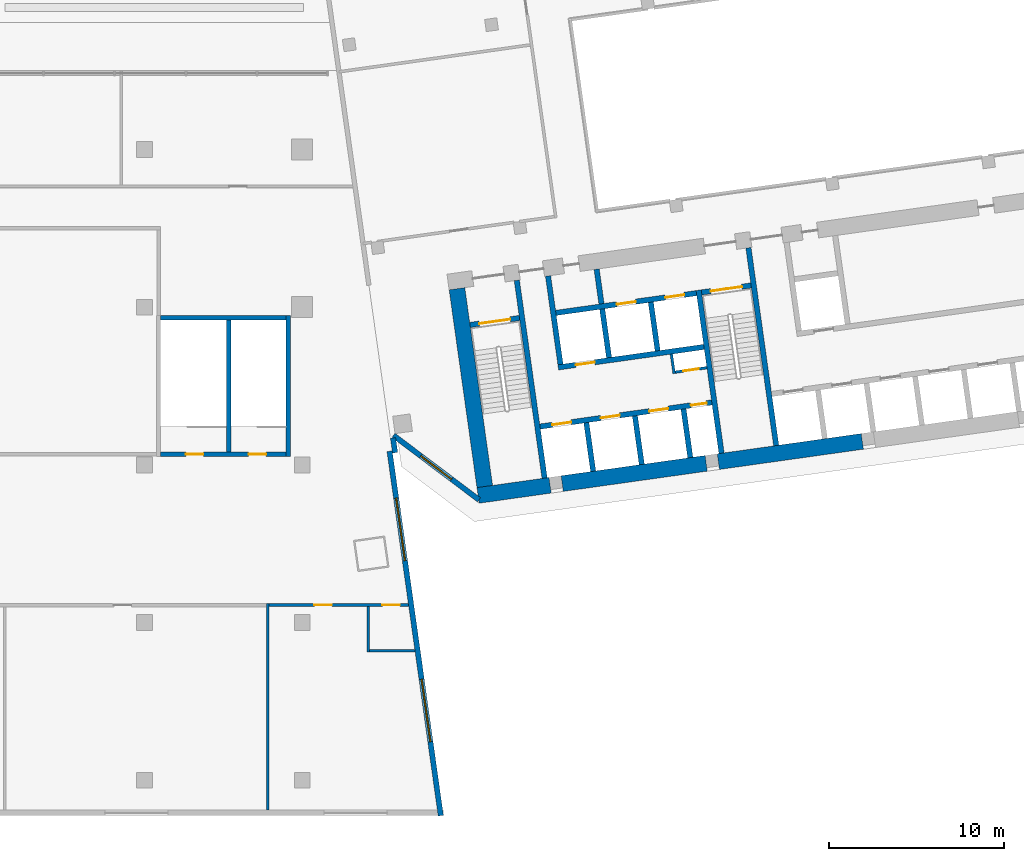
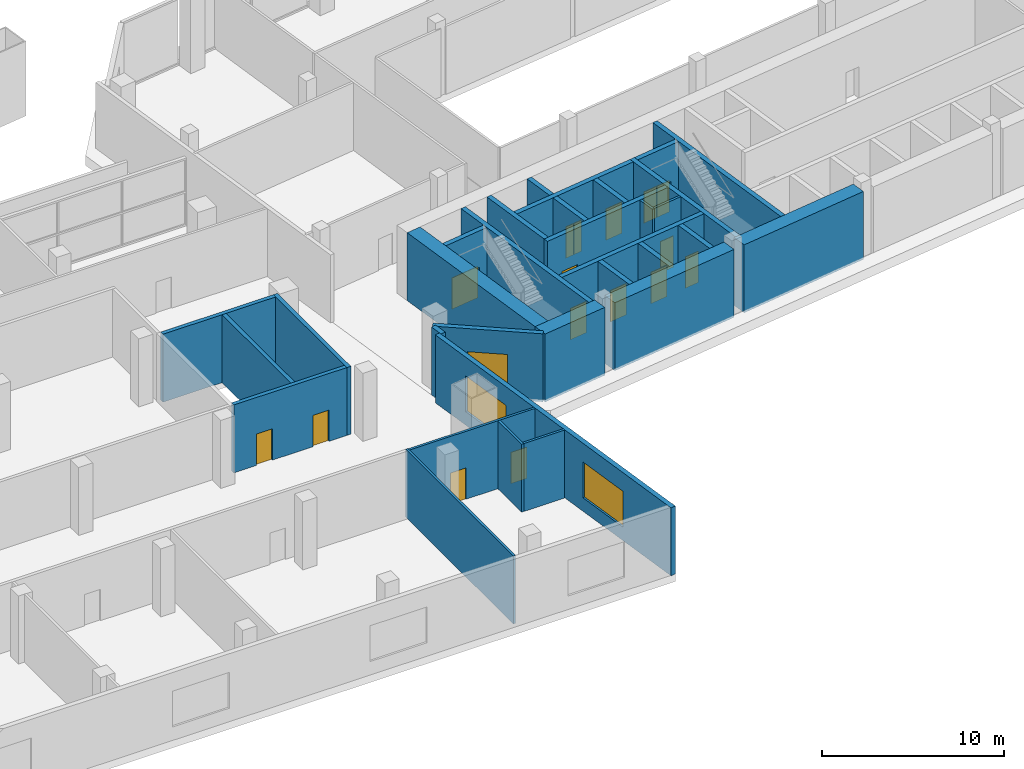
# One storey, part 15 of 21: 32 walls, 14 doors, 3 windows, 17 openings.
"""IFC4 building model written with IfcOpenShell, lengths in metres."""

import ifcopenshell
import ifcopenshell.guid

model = None  # the IFC model being written
_history = None  # IfcOwnerHistory: only IFC2X3 demands one
_inside = {}  # id of a spatial element -> (the spatial element, [elements in it])
_under = {}  # id of a project, library or spatial element -> (it, [spatial elements below it])
_declared = {}  # id of a project -> (the project, [libraries it declares])
_typed = {}  # id of a type object -> (the type object, [elements of that type])
_made_of = {}  # id of a material, layer set ... -> (it, [elements and type objects made of it])


def new_model(schema):
    """Start an empty IFC model of exactly this schema.

    Asked for "IFC4X3", IfcOpenShell would pick the latest addendum, in which some entities
    have other attributes; the version numbers below select the first issue.
    IFC2X3 requires an IfcOwnerHistory on every rooted entity: one is made here for all.
    """
    global model, _history
    if schema == "IFC4X3":
        model = ifcopenshell.file(schema_version=(4, 3, 0, 0))
    else:
        model = ifcopenshell.file(schema=schema)
    _inside.clear()
    _under.clear()
    _declared.clear()
    _typed.clear()
    _made_of.clear()
    _history = None
    if model.schema == "IFC2X3":
        org = make("IfcOrganization", Name="unknown")
        user = make(
            "IfcPersonAndOrganization",
            ThePerson=make("IfcPerson", FamilyName="unknown"),
            TheOrganization=org,
        )
        app = make(
            "IfcApplication",
            ApplicationDeveloper=org,
            Version="unknown",
            ApplicationFullName="unknown",
            ApplicationIdentifier="unknown",
        )
        _history = make(
            "IfcOwnerHistory",
            OwningUser=user,
            OwningApplication=app,
            ChangeAction="ADDED",
            CreationDate=0,
        )
    return model


def make(cls, **values):
    """One entity of the class cls with the attributes given. An attribute that is None is left unset."""
    return model.create_entity(
        cls, **{name: value for name, value in values.items() if value is not None}
    )


def rooted(cls, **values):
    """An entity with a GlobalId (a new one), such as an element, a storey or a relation."""
    return make(cls, GlobalId=ifcopenshell.guid.new(), OwnerHistory=_history, **values)


def si_unit(unit_type, name, prefix=None):
    """IfcSIUnit, for example si_unit("LENGTHUNIT", "METRE", prefix="MILLI")."""
    return make("IfcSIUnit", UnitType=unit_type, Prefix=prefix, Name=name)


def assignment(units):
    """IfcUnitAssignment: the units of a project."""
    return None if units is None else make("IfcUnitAssignment", Units=units)


def point(xyz):
    """IfcCartesianPoint."""
    return None if xyz is None else make("IfcCartesianPoint", Coordinates=xyz)


def direction(xyz):
    """IfcDirection."""
    return None if xyz is None else make("IfcDirection", DirectionRatios=xyz)


def frame(location, z_axis=None, x_axis=None):
    """IfcAxis2Placement3D, a coordinate frame: its origin and axes. An axis left out is left unset."""
    return make(
        "IfcAxis2Placement3D",
        Location=point(location),
        Axis=direction(z_axis),
        RefDirection=direction(x_axis),
    )


def frame_2d(location, x_axis=None):
    """IfcAxis2Placement2D, a coordinate frame in the plane: its origin and x axis."""
    return make(
        "IfcAxis2Placement2D", Location=point(location), RefDirection=direction(x_axis)
    )


def origin():
    """The frame at (0, 0, 0) with its axes left unset."""
    return frame((0.0, 0.0, 0.0))


def place(relative_to, where):
    """IfcLocalPlacement: puts the frame where relative to a parent placement (None: the world)."""
    return make(
        "IfcLocalPlacement", PlacementRelTo=relative_to, RelativePlacement=where
    )


def context(
    kind, dimensions, precision=None, world=None, true_north=None, identifier=None
):
    """IfcGeometricRepresentationContext, for example the 3D "Model" context."""
    return make(
        "IfcGeometricRepresentationContext",
        ContextIdentifier=identifier,
        ContextType=kind,
        CoordinateSpaceDimension=dimensions,
        Precision=precision,
        WorldCoordinateSystem=world,
        TrueNorth=true_north,
    )


def subcontext(parent, identifier, kind, view, scale=None):
    """IfcGeometricRepresentationSubContext, for example "Body" below "Model"."""
    return make(
        "IfcGeometricRepresentationSubContext",
        ContextIdentifier=identifier,
        ContextType=kind,
        ParentContext=parent,
        TargetScale=scale,
        TargetView=view,
    )


def project(units=None, contexts=None):
    """IfcProject with its units and contexts."""
    return rooted(
        "IfcProject",
        Name="project",
        RepresentationContexts=contexts,
        UnitsInContext=assignment(units),
    )


def spatial(cls, under=None, at=None, **own):
    """A site, building, storey or space (cls), placed at a placement, below another one or the project."""
    s = rooted(cls, ObjectPlacement=at, **own)
    if under is not None:
        _under.setdefault(under.id(), (under, []))[1].append(s)
    return s


def profile(cls, at=None, kind="AREA", **sizes):
    """A parametric profile (cls). Its sizes go by their IFC names, for example OverallWidth=200.0."""
    return make(cls, ProfileType=kind, Position=at, **sizes)


def rectangle(**sizes):
    """IfcRectangleProfileDef."""
    return profile("IfcRectangleProfileDef", **sizes)


def extrude(swept, where, along, depth):
    """IfcExtrudedAreaSolid: the profile swept, set in the frame where, extruded along a direction by depth."""
    return make(
        "IfcExtrudedAreaSolid",
        SweptArea=swept,
        Position=where,
        ExtrudedDirection=direction(along),
        Depth=depth,
    )


def shape(context_of_items, identifier, shape_type, items):
    """IfcShapeRepresentation: the items that make up one representation, for example the "Body"."""
    return make(
        "IfcShapeRepresentation",
        ContextOfItems=context_of_items,
        RepresentationIdentifier=identifier,
        RepresentationType=shape_type,
        Items=items,
    )


def material(Name=None, Category=None):
    """IfcMaterial."""
    return make("IfcMaterial", Name=Name, Category=Category)


def layer(
    of_material, thickness, ventilated=None, Name=None, Category=None, Priority=None
):
    """IfcMaterialLayer: one layer of a wall or slab, of a material (None: an air gap)."""
    return make(
        "IfcMaterialLayer",
        Material=of_material,
        LayerThickness=thickness,
        IsVentilated=ventilated,
        Name=Name,
        Category=Category,
        Priority=Priority,
    )


def layer_set(layers, Name=None):
    """IfcMaterialLayerSet."""
    return make("IfcMaterialLayerSet", MaterialLayers=layers, LayerSetName=Name)


def made_of(thing, what):
    """Note that an element or type object is made of a material, layer set ...; save() writes the relation."""
    if what is not None:
        _made_of.setdefault(what.id(), (what, []))[1].append(thing)
    return thing


def type_object(cls, material=None, **own):
    """A type object (cls), such as IfcWallType, which elements share."""
    return made_of(rooted(cls, **own), material)


def element(
    cls,
    number,
    at=None,
    inside=None,
    cuts=None,
    type_object=None,
    material=None,
    context=None,
    identifier="Body",
    shape_type=None,
    held_by="IfcProductDefinitionShape",
    body=None,
    shapes=None,
    **own,
):
    """One element of the class cls, such as IfcWall. Its Tag is "e" and its number.

    at: its placement. inside: the storey or other place that contains it. cuts: it is an
    opening in that element (IfcRelVoidsElement). A single representation is given by context,
    identifier, shape_type and body (its items); several are given by shapes. held_by: the class
    of the entity that holds the representations. save() writes the other relations.
    """
    e = rooted(cls, Tag="e%d" % number, ObjectPlacement=at, **own)
    if body is not None:
        shapes = [shape(context, identifier, shape_type, body)]
    if shapes is not None:
        e.Representation = make(held_by, Representations=shapes)
    if inside is not None:
        _inside.setdefault(inside.id(), (inside, []))[1].append(e)
    if cuts is not None:
        rooted(
            "IfcRelVoidsElement", RelatingBuildingElement=cuts, RelatedOpeningElement=e
        )
    if type_object is not None:
        _typed.setdefault(type_object.id(), (type_object, []))[1].append(e)
    return made_of(e, material)


def fill(opening, filler):
    """IfcRelFillsElement: the door or window that sits in an opening."""
    return rooted(
        "IfcRelFillsElement",
        RelatingOpeningElement=opening,
        RelatedBuildingElement=filler,
    )


def aggregate(whole, parts):
    """IfcRelAggregates: a whole, such as a stair, and the parts it consists of."""
    return rooted("IfcRelAggregates", RelatingObject=whole, RelatedObjects=parts)


def save(model, path):
    """Write the relations noted so far, then the file.

    IfcRelAggregates (storeys below a building ...), IfcRelContainedInSpatialStructure (elements
    in a storey), IfcRelDefinesByType, IfcRelAssociatesMaterial and IfcRelDeclares: one each for
    every whole, place, type object, material and project.
    """
    for whole, parts in _under.values():
        aggregate(whole, parts)
    for where, things in _inside.values():
        rooted(
            "IfcRelContainedInSpatialStructure",
            RelatedElements=things,
            RelatingStructure=where,
        )
    for kind, things in _typed.values():
        rooted("IfcRelDefinesByType", RelatedObjects=things, RelatingType=kind)
    for what, things in _made_of.values():
        rooted("IfcRelAssociatesMaterial", RelatedObjects=things, RelatingMaterial=what)
    for by, libraries in _declared.values():
        rooted("IfcRelDeclares", RelatingContext=by, RelatedDefinitions=libraries)
    model.write(path)


model = new_model("IFC4")

# Units and contexts
model_context = context("Model", 3, precision=1e-05, world=origin(), true_north=direction((0.0, 1.0)))
body_context = subcontext(model_context, "Body", "Model", "MODEL_VIEW")
ifc_project = project(units=[si_unit("LENGTHUNIT", "METRE"), si_unit("AREAUNIT", "SQUARE_METRE"), si_unit("VOLUMEUNIT", "CUBIC_METRE"), si_unit("PLANEANGLEUNIT", "RADIAN"), si_unit("MASSUNIT", "GRAM", prefix="KILO")], contexts=[model_context])

# Site, building, storey
site_placement = place(None, origin())
site = spatial("IfcSite", under=ifc_project, at=site_placement, CompositionType="ELEMENT")
building_placement = place(site_placement, origin())
building = spatial("IfcBuilding", under=site, at=building_placement, Name="Mirante Cascada Hotel Towers", CompositionType="ELEMENT")
storey_placement = place(building_placement, frame((0.0, 0.0, 34.5)))
storey = spatial("IfcBuildingStorey", under=building, at=storey_placement, Name="L05", CompositionType="ELEMENT", Elevation=34.5)

# Wall
ifc_material_1 = material(Name="Masonry block", Category="masonry")
ifc_layer_1 = layer(ifc_material_1, 0.15)
ifc_layer_set_1 = layer_set([ifc_layer_1], Name="Core room partition 150 block EI 30")
wall_type_1 = type_object("IfcWallType", Name="Core room partition 150 block EI 30", PredefinedType="PARTITIONING", material=ifc_layer_set_1)
wall_1_placement = place(storey_placement, frame((48.2295, -12.793, 0.0), z_axis=(0.0, 0.0, 1.0), x_axis=(-0.1391935, 0.9902652, 0.0)))
element("IfcWall", 1, at=wall_1_placement, inside=storey, type_object=wall_type_1, Name="Core wall partition T2 L05 2", PredefinedType="PARTITIONING", context=body_context, shape_type="SweptSolid", body=[
    extrude(rectangle(XDim=1.1251, YDim=0.15, at=frame_2d((0.5626, 0.0))), origin(), (0.0, 0.0, 1.0), 4.55),
])

# Wall, opening, door
wall_2_placement = place(storey_placement, frame((48.2933, -12.7083, 0.0), z_axis=(0.0, 0.0, 1.0), x_axis=(0.990268, 0.1391734, 0.0)))
wall_2 = element("IfcWall", 2, at=wall_2_placement, inside=storey, type_object=wall_type_1, Name="Core wall partition T2 L05 3", PredefinedType="PARTITIONING", context=body_context, shape_type="SweptSolid", body=[
    extrude(rectangle(XDim=1.8251, YDim=0.15, at=frame_2d((0.9126, 0.0))), origin(), (0.0, 0.0, 1.0), 4.55),
])
opening_1_placement = place(wall_2_placement, frame((0.4625, 0.0, 0.0)))
opening_1 = element("IfcOpeningElement", 3, at=opening_1_placement, cuts=wall_2, Name="Opening D2-05-C26", PredefinedType="OPENING", context=body_context, shape_type="SweptSolid", body=[
    extrude(rectangle(XDim=0.9, YDim=2.1, at=frame_2d((0.45, 1.05))), frame((0.0, 0.075, 0.0), z_axis=(0.0, -1.0, 0.0), x_axis=(1.0, 0.0, 0.0)), (0.0, 0.0, 1.0), 0.15),
])
ifc_material_2 = material(Name="Hollow metal fire door leaf")
door_type_1 = type_object("IfcDoorType", Name="Fire door 900x2100 FD60", OperationType="NOTDEFINED", PredefinedType="DOOR", material=ifc_material_2)
door_1_placement = place(opening_1_placement, frame((0.9, 0.0, 0.0), z_axis=(0.0, 0.0, 1.0), x_axis=(-1.0, 0.0, 0.0)))
door_1 = element("IfcDoor", 4, at=door_1_placement, inside=storey, type_object=door_type_1, Name="Riser door T2 L05 26", OperationType="SINGLE_SWING_LEFT", OverallHeight=2.1, OverallWidth=0.9, PredefinedType="DOOR", context=body_context, shape_type="SweptSolid", body=[
    extrude(rectangle(XDim=0.9, YDim=2.1, at=frame_2d((0.45, 1.05))), frame((0.0, 0.025, 0.0), z_axis=(0.0, -1.0, 0.0), x_axis=(1.0, 0.0, 0.0)), (0.0, 0.0, 1.0), 0.05),
])
fill(opening_1, door_1)

# Wall
ifc_material_3 = material(Name="Masonry block", Category="masonry")
ifc_layer_2 = layer(ifc_material_3, 0.3)
ifc_layer_set_2 = layer_set([ifc_layer_2], Name="Core wall 300 block EI 120")
wall_type_2 = type_object("IfcWallType", Name="Core wall 300 block EI 120", PredefinedType="PARTITIONING", material=ifc_layer_set_2)
wall_3_placement = place(storey_placement, frame((44.0843, -8.8061, 0.0), z_axis=(0.0, 0.0, 1.0), x_axis=(-0.1391951, 0.990265, 0.0)))
element("IfcWall", 5, at=wall_3_placement, inside=storey, type_object=wall_type_2, Name="Core wall partition T2 L05 1", PredefinedType="PARTITIONING", context=body_context, shape_type="SweptSolid", body=[
    extrude(rectangle(XDim=2.0001, YDim=0.3, at=frame_2d((1.0001, 0.0))), origin(), (0.0, 0.0, 1.0), 4.55),
])

# Wall, opening, window
ifc_material_4 = material(Name="Precast concrete C40/50", Category="concrete")
ifc_layer_3 = layer(ifc_material_4, 0.3)
ifc_layer_set_3 = layer_set([ifc_layer_3], Name="Precast concrete C40/50 cladding wall 300")
wall_type_3 = type_object("IfcWallType", Name="Precast concrete C40/50 cladding wall 300", PredefinedType="STANDARD", material=ifc_layer_set_3)
wall_4_placement = place(storey_placement, frame((32.2074, -16.3138, 0.0), z_axis=(0.0, 0.0, 1.0), x_axis=(0.7986362, -0.6018141, 0.0)))
wall_4 = element("IfcWall", 6, at=wall_4_placement, inside=storey, type_object=wall_type_3, Name="Corner cladding wall T2 L05 inner rear", PredefinedType="STANDARD", context=body_context, shape_type="SweptSolid", body=[
    extrude(rectangle(XDim=6.1157, YDim=0.3, at=frame_2d((3.0578, 0.0))), origin(), (0.0, 0.0, 1.0), 4.55),
])
opening_2_placement = place(wall_4_placement, frame((1.9578, 0.0, 0.6)))
opening_2 = element("IfcOpeningElement", 7, at=opening_2_placement, cuts=wall_4, Name="Opening W2-05-05", PredefinedType="OPENING", context=body_context, shape_type="SweptSolid", body=[
    extrude(rectangle(XDim=2.2, YDim=2.4, at=frame_2d((1.1, 1.2))), frame((0.0, 0.15, 0.0), z_axis=(0.0, -1.0, 0.0), x_axis=(1.0, 0.0, 0.0)), (0.0, 0.0, 1.0), 0.3),
])
ifc_material_5 = material(Name="Aluminium frame with clear double glazing", Category="aluminium")
window_type_1 = type_object("IfcWindowType", Name="Corner suite window 2200x2400", PartitioningType="DOUBLE_PANEL_VERTICAL", PredefinedType="WINDOW", material=ifc_material_5)
window_1_placement = place(opening_2_placement, origin())
window_1 = element("IfcWindow", 8, at=window_1_placement, inside=storey, type_object=window_type_1, Name="Window W2-05-05", OverallHeight=2.4, OverallWidth=2.2, PartitioningType="SINGLE_PANEL", PredefinedType="WINDOW", context=body_context, shape_type="SweptSolid", body=[
    extrude(rectangle(XDim=2.2, YDim=2.4, at=frame_2d((1.1, 1.2))), frame((0.0, 0.03, 0.0), z_axis=(0.0, -1.0, 0.0), x_axis=(1.0, 0.0, 0.0)), (0.0, 0.0, 1.0), 0.06),
])
fill(opening_2, window_1)

# Wall, openings, windows
wall_5_placement = place(storey_placement, frame((34.911, -38.0209, 0.0), z_axis=(0.0, 0.0, 1.0), x_axis=(-0.1391749, 0.9902678, 0.0)))
wall_5 = element("IfcWall", 9, at=wall_5_placement, inside=storey, type_object=wall_type_3, Name="Podium cladding wall L05 P:L05:2", PredefinedType="STANDARD", context=body_context, shape_type="SweptSolid", body=[
    extrude(rectangle(XDim=21.0052, YDim=0.3, at=frame_2d((10.5026, 0.0))), origin(), (0.0, 0.0, 1.0), 4.55),
])
opening_3_placement = place(wall_5_placement, frame((4.259, 0.0, 0.9)))
opening_3 = element("IfcOpeningElement", 10, at=opening_3_placement, cuts=wall_5, Name="Opening WP-05-06", PredefinedType="OPENING", context=body_context, shape_type="SweptSolid", body=[
    extrude(rectangle(XDim=3.6, YDim=2.4, at=frame_2d((1.8, 1.2))), frame((0.0, 0.15, 0.0), z_axis=(0.0, -1.0, 0.0), x_axis=(1.0, 0.0, 0.0)), (0.0, 0.0, 1.0), 0.3),
])
opening_4_placement = place(wall_5_placement, frame((14.7059, 0.0, 0.9)))
opening_4 = element("IfcOpeningElement", 11, at=opening_4_placement, cuts=wall_5, Name="Opening WP-05-07", PredefinedType="OPENING", context=body_context, shape_type="SweptSolid", body=[
    extrude(rectangle(XDim=3.6, YDim=2.4, at=frame_2d((1.8, 1.2))), frame((0.0, 0.15, 0.0), z_axis=(0.0, -1.0, 0.0), x_axis=(1.0, 0.0, 0.0)), (0.0, 0.0, 1.0), 0.3),
])
ifc_material_6 = material(Name="Aluminium frame with clear double glazing", Category="aluminium")
window_type_2 = type_object("IfcWindowType", Name="Podium punched window 3600x2400", PartitioningType="DOUBLE_PANEL_VERTICAL", PredefinedType="WINDOW", material=ifc_material_6)
window_2_placement = place(opening_3_placement, origin())
window_2 = element("IfcWindow", 12, at=window_2_placement, inside=storey, type_object=window_type_2, Name="Window WP-05-06", OverallHeight=2.4, OverallWidth=3.6, PartitioningType="SINGLE_PANEL", PredefinedType="WINDOW", context=body_context, shape_type="SweptSolid", body=[
    extrude(rectangle(XDim=3.6, YDim=2.4, at=frame_2d((1.8, 1.2))), frame((0.0, 0.03, 0.0), z_axis=(0.0, -1.0, 0.0), x_axis=(1.0, 0.0, 0.0)), (0.0, 0.0, 1.0), 0.06),
])
fill(opening_3, window_2)
window_3_placement = place(opening_4_placement, origin())
window_3 = element("IfcWindow", 13, at=window_3_placement, inside=storey, type_object=window_type_2, Name="Window WP-05-07", OverallHeight=2.4, OverallWidth=3.6, PartitioningType="SINGLE_PANEL", PredefinedType="WINDOW", context=body_context, shape_type="SweptSolid", body=[
    extrude(rectangle(XDim=3.6, YDim=2.4, at=frame_2d((1.8, 1.2))), frame((0.0, 0.03, 0.0), z_axis=(0.0, -1.0, 0.0), x_axis=(1.0, 0.0, 0.0)), (0.0, 0.0, 1.0), 0.06),
])
fill(opening_4, window_3)

# Walls
wall_6_placement = place(storey_placement, frame((32.1838, -16.4609, 0.0), z_axis=(0.0, 0.0, 1.0), x_axis=(0.1391437, -0.9902722, 0.0)))
element("IfcWall", 14, at=wall_6_placement, inside=storey, type_object=wall_type_3, Name="Corner closure wall L05 2.1", PredefinedType="STANDARD", context=body_context, shape_type="SweptSolid", body=[
    extrude(rectangle(XDim=0.8545, YDim=0.3, at=frame_2d((0.4272, 0.0))), origin(), (0.0, 0.0, 1.0), 4.55),
])
ifc_material_7 = material(Name="Concrete C50/60", Category="concrete")
ifc_layer_4 = layer(ifc_material_7, 0.3)
ifc_layer_set_4 = layer_set([ifc_layer_4], Name="RC core wall 300 C50/60")
wall_type_4 = type_object("IfcWallType", Name="RC core wall 300 C50/60", PredefinedType="SHEAR", material=ifc_layer_set_4)
wall_7_placement = place(storey_placement, frame((40.8373, -18.7548, 0.0), z_axis=(0.0, 0.0, 1.0), x_axis=(-0.1391749, 0.9902678, 0.0)))
element("IfcWall", 15, at=wall_7_placement, inside=storey, type_object=wall_type_4, Name="Core wall T2:L05:5", PredefinedType="SHEAR", context=body_context, shape_type="SweptSolid", body=[
    extrude(rectangle(XDim=11.4, YDim=0.3, at=frame_2d((5.7, 0.0))), origin(), (0.0, 0.0, 1.0), 4.55),
])
wall_8_placement = place(storey_placement, frame((50.938, -17.3352, 0.0), z_axis=(0.0, 0.0, 1.0), x_axis=(-0.1391706, 0.9902684, 0.0)))
element("IfcWall", 16, at=wall_8_placement, inside=storey, type_object=wall_type_4, Name="Core wall T2:L05:6", PredefinedType="SHEAR", context=body_context, shape_type="SweptSolid", body=[
    extrude(rectangle(XDim=9.4, YDim=0.3, at=frame_2d((4.7, 0.0))), origin(), (0.0, 0.0, 1.0), 4.55),
])
wall_9_placement = place(storey_placement, frame((54.0574, -16.8968, 0.0), z_axis=(0.0, 0.0, 1.0), x_axis=(-0.1391761, 0.9902677, 0.0)))
element("IfcWall", 17, at=wall_9_placement, inside=storey, type_object=wall_type_4, Name="Core wall T2:L05:7", PredefinedType="SHEAR", context=body_context, shape_type="SweptSolid", body=[
    extrude(rectangle(XDim=11.3999, YDim=0.3, at=frame_2d((5.7, 0.0))), origin(), (0.0, 0.0, 1.0), 4.55),
])

# Wall, opening, door
wall_10_placement = place(storey_placement, frame((36.5791, -10.0123, 0.0), z_axis=(0.0, 0.0, 1.0), x_axis=(0.9902704, 0.1391564, 0.0)))
wall_10 = element("IfcWall", 18, at=wall_10_placement, inside=storey, type_object=wall_type_4, Name="Core wall T2:L05:9", PredefinedType="SHEAR", context=body_context, shape_type="SweptSolid", body=[
    extrude(rectangle(XDim=2.85, YDim=0.3, at=frame_2d((1.425, 0.0))), origin(), (0.0, 0.0, 1.0), 4.55),
])
opening_5_placement = place(wall_10_placement, frame((0.525, 0.0, 0.0)))
opening_5 = element("IfcOpeningElement", 19, at=opening_5_placement, cuts=wall_10, Name="Opening D2-05-C16", PredefinedType="OPENING", context=body_context, shape_type="SweptSolid", body=[
    extrude(rectangle(XDim=1.8, YDim=2.1, at=frame_2d((0.9, 1.05))), frame((0.0, 0.15, 0.0), z_axis=(0.0, -1.0, 0.0), x_axis=(1.0, 0.0, 0.0)), (0.0, 0.0, 1.0), 0.3),
])
ifc_material_8 = material(Name="Hollow metal fire door leaf")
door_type_2 = type_object("IfcDoorType", Name="Double fire door 1800x2100 FD60", OperationType="DOUBLE_DOOR_SINGLE_SWING", PredefinedType="DOOR", material=ifc_material_8)
door_2_placement = place(opening_5_placement, frame((1.8, 0.0, 0.0), z_axis=(0.0, 0.0, 1.0), x_axis=(-1.0, 0.0, 0.0)))
door_2 = element("IfcDoor", 20, at=door_2_placement, inside=storey, type_object=door_type_2, Name="Stair door T2 L05 16", OperationType="DOUBLE_DOOR_SINGLE_SWING", OverallHeight=2.1, OverallWidth=1.8, PredefinedType="DOOR", context=body_context, shape_type="SweptSolid", body=[
    extrude(rectangle(XDim=0.895, YDim=2.1, at=frame_2d((0.4475, 1.05))), frame((0.0, 0.025, 0.0), z_axis=(0.0, -1.0, 0.0), x_axis=(1.0, 0.0, 0.0)), (0.0, 0.0, 1.0), 0.05),
    extrude(rectangle(XDim=0.895, YDim=2.1, at=frame_2d((1.3525, 1.05))), frame((0.0, 0.025, 0.0), z_axis=(0.0, -1.0, 0.0), x_axis=(1.0, 0.0, 0.0)), (0.0, 0.0, 1.0), 0.05),
])
fill(opening_5, door_2)

wall_11_placement = place(storey_placement, frame((49.7992, -8.1544, 0.0), z_axis=(0.0, 0.0, 1.0), x_axis=(0.9902656, 0.1391909, 0.0)))
wall_11 = element("IfcWall", 21, at=wall_11_placement, inside=storey, type_object=wall_type_4, Name="Core wall T2:L05:10", PredefinedType="SHEAR", context=body_context, shape_type="SweptSolid", body=[
    extrude(rectangle(XDim=2.85, YDim=0.3, at=frame_2d((1.425, 0.0))), origin(), (0.0, 0.0, 1.0), 4.55),
])
opening_6_placement = place(wall_11_placement, frame((0.525, 0.0, 0.0)))
opening_6 = element("IfcOpeningElement", 22, at=opening_6_placement, cuts=wall_11, Name="Opening D2-05-C18", PredefinedType="OPENING", context=body_context, shape_type="SweptSolid", body=[
    extrude(rectangle(XDim=1.8, YDim=2.1, at=frame_2d((0.9, 1.05))), frame((0.0, 0.15, 0.0), z_axis=(0.0, -1.0, 0.0), x_axis=(1.0, 0.0, 0.0)), (0.0, 0.0, 1.0), 0.3),
])
door_3_placement = place(opening_6_placement, frame((1.8, 0.0, 0.0), z_axis=(0.0, 0.0, 1.0), x_axis=(-1.0, 0.0, 0.0)))
door_3 = element("IfcDoor", 23, at=door_3_placement, inside=storey, type_object=door_type_2, Name="Stair door T2 L05 18", OperationType="DOUBLE_DOOR_SINGLE_SWING", OverallHeight=2.1, OverallWidth=1.8, PredefinedType="DOOR", context=body_context, shape_type="SweptSolid", body=[
    extrude(rectangle(XDim=0.895, YDim=2.1, at=frame_2d((0.4475, 1.05))), frame((0.0, 0.025, 0.0), z_axis=(0.0, -1.0, 0.0), x_axis=(1.0, 0.0, 0.0)), (0.0, 0.0, 1.0), 0.05),
    extrude(rectangle(XDim=0.895, YDim=2.1, at=frame_2d((1.3525, 1.05))), frame((0.0, 0.025, 0.0), z_axis=(0.0, -1.0, 0.0), x_axis=(1.0, 0.0, 0.0)), (0.0, 0.0, 1.0), 0.05),
])
fill(opening_6, door_3)

# Wall, openings, doors
wall_12_placement = place(storey_placement, frame((40.5753, -15.8126, 0.0), z_axis=(0.0, 0.0, 1.0), x_axis=(0.9902682, 0.1391725, 0.0)))
wall_12 = element("IfcWall", 24, at=wall_12_placement, inside=storey, type_object=wall_type_4, Name="Core wall T2:L05:12", PredefinedType="SHEAR", context=body_context, shape_type="SweptSolid", body=[
    extrude(rectangle(XDim=9.8999, YDim=0.3, at=frame_2d((4.95, 0.0))), origin(), (0.0, 0.0, 1.0), 4.55),
])
opening_7_placement = place(wall_12_placement, frame((0.7, 0.0, 0.0)))
opening_7 = element("IfcOpeningElement", 25, at=opening_7_placement, cuts=wall_12, Name="Opening LD", PredefinedType="OPENING", context=body_context, shape_type="SweptSolid", body=[
    extrude(rectangle(XDim=1.1, YDim=2.1, at=frame_2d((0.55, 1.05))), frame((0.0, 0.15, 0.0), z_axis=(0.0, -1.0, 0.0), x_axis=(1.0, 0.0, 0.0)), (0.0, 0.0, 1.0), 0.3),
])
opening_8_placement = place(wall_12_placement, frame((3.5, 0.0, 0.0)))
opening_8 = element("IfcOpeningElement", 26, at=opening_8_placement, cuts=wall_12, Name="Opening LD", PredefinedType="OPENING", context=body_context, shape_type="SweptSolid", body=[
    extrude(rectangle(XDim=1.1, YDim=2.1, at=frame_2d((0.55, 1.05))), frame((0.0, 0.15, 0.0), z_axis=(0.0, -1.0, 0.0), x_axis=(1.0, 0.0, 0.0)), (0.0, 0.0, 1.0), 0.3),
])
opening_9_placement = place(wall_12_placement, frame((6.3, 0.0, 0.0)))
opening_9 = element("IfcOpeningElement", 27, at=opening_9_placement, cuts=wall_12, Name="Opening LD", PredefinedType="OPENING", context=body_context, shape_type="SweptSolid", body=[
    extrude(rectangle(XDim=1.1, YDim=2.1, at=frame_2d((0.55, 1.05))), frame((0.0, 0.15, 0.0), z_axis=(0.0, -1.0, 0.0), x_axis=(1.0, 0.0, 0.0)), (0.0, 0.0, 1.0), 0.3),
])
opening_10_placement = place(wall_12_placement, frame((8.7, 0.0, 0.0)))
opening_10 = element("IfcOpeningElement", 28, at=opening_10_placement, cuts=wall_12, Name="Opening D2-05-C25", PredefinedType="OPENING", context=body_context, shape_type="SweptSolid", body=[
    extrude(rectangle(XDim=0.9, YDim=2.1, at=frame_2d((0.45, 1.05))), frame((0.0, 0.15, 0.0), z_axis=(0.0, -1.0, 0.0), x_axis=(1.0, 0.0, 0.0)), (0.0, 0.0, 1.0), 0.3),
])
door_4_placement = place(opening_10_placement, frame((0.9, 0.0, 0.0), z_axis=(0.0, 0.0, 1.0), x_axis=(-1.0, 0.0, 0.0)))
door_4 = element("IfcDoor", 29, at=door_4_placement, inside=storey, type_object=door_type_1, Name="Riser door T2 L05 25", OperationType="SINGLE_SWING_RIGHT", OverallHeight=2.1, OverallWidth=0.9, PredefinedType="DOOR", context=body_context, shape_type="SweptSolid", body=[
    extrude(rectangle(XDim=0.9, YDim=2.1, at=frame_2d((0.45, 1.05))), frame((0.0, 0.025, 0.0), z_axis=(0.0, -1.0, 0.0), x_axis=(1.0, 0.0, 0.0)), (0.0, 0.0, 1.0), 0.05),
])
fill(opening_10, door_4)
ifc_material_9 = material(Name="Stainless steel", Category="steel")
door_type_3 = type_object("IfcDoorType", Name="Lift landing door 1100x2100 EI 120", OperationType="DOUBLE_DOOR_SLIDING", PredefinedType="DOOR", material=ifc_material_9)
door_5_placement = place(opening_7_placement, origin())
door_5 = element("IfcDoor", 30, at=door_5_placement, inside=storey, type_object=door_type_3, Name="Lift landing door HR2-1 L05", OperationType="DOUBLE_DOOR_SLIDING", OverallHeight=2.1, OverallWidth=1.1, PredefinedType="DOOR", context=body_context, shape_type="SweptSolid", body=[
    extrude(rectangle(XDim=0.545, YDim=2.1, at=frame_2d((0.2725, 1.05))), frame((0.0, 0.025, 0.0), z_axis=(0.0, -1.0, 0.0), x_axis=(1.0, 0.0, 0.0)), (0.0, 0.0, 1.0), 0.05),
    extrude(rectangle(XDim=0.545, YDim=2.1, at=frame_2d((0.8275, 1.05))), frame((0.0, 0.025, 0.0), z_axis=(0.0, -1.0, 0.0), x_axis=(1.0, 0.0, 0.0)), (0.0, 0.0, 1.0), 0.05),
])
fill(opening_7, door_5)
door_6_placement = place(opening_8_placement, origin())
door_6 = element("IfcDoor", 31, at=door_6_placement, inside=storey, type_object=door_type_3, Name="Lift landing door HR2-2 L05", OperationType="DOUBLE_DOOR_SLIDING", OverallHeight=2.1, OverallWidth=1.1, PredefinedType="DOOR", context=body_context, shape_type="SweptSolid", body=[
    extrude(rectangle(XDim=0.545, YDim=2.1, at=frame_2d((0.2725, 1.05))), frame((0.0, 0.025, 0.0), z_axis=(0.0, -1.0, 0.0), x_axis=(1.0, 0.0, 0.0)), (0.0, 0.0, 1.0), 0.05),
    extrude(rectangle(XDim=0.545, YDim=2.1, at=frame_2d((0.8275, 1.05))), frame((0.0, 0.025, 0.0), z_axis=(0.0, -1.0, 0.0), x_axis=(1.0, 0.0, 0.0)), (0.0, 0.0, 1.0), 0.05),
])
fill(opening_8, door_6)
door_7_placement = place(opening_9_placement, origin())
door_7 = element("IfcDoor", 32, at=door_7_placement, inside=storey, type_object=door_type_3, Name="Lift landing door HR2-3 L05", OperationType="DOUBLE_DOOR_SLIDING", OverallHeight=2.1, OverallWidth=1.1, PredefinedType="DOOR", context=body_context, shape_type="SweptSolid", body=[
    extrude(rectangle(XDim=0.545, YDim=2.1, at=frame_2d((0.2725, 1.05))), frame((0.0, 0.025, 0.0), z_axis=(0.0, -1.0, 0.0), x_axis=(1.0, 0.0, 0.0)), (0.0, 0.0, 1.0), 0.05),
    extrude(rectangle(XDim=0.545, YDim=2.1, at=frame_2d((0.8275, 1.05))), frame((0.0, 0.025, 0.0), z_axis=(0.0, -1.0, 0.0), x_axis=(1.0, 0.0, 0.0)), (0.0, 0.0, 1.0), 0.05),
])
fill(opening_9, door_7)

# Wall, opening, door
wall_13_placement = place(storey_placement, frame((41.6153, -12.435, 0.0), z_axis=(0.0, 0.0, 1.0), x_axis=(0.9902691, 0.139166, 0.0)))
wall_13 = element("IfcWall", 33, at=wall_13_placement, inside=storey, type_object=wall_type_4, Name="Core wall T2:L05:13", PredefinedType="SHEAR", context=body_context, shape_type="SweptSolid", body=[
    extrude(rectangle(XDim=8.4, YDim=0.3, at=frame_2d((4.2, 0.0))), origin(), (0.0, 0.0, 1.0), 4.55),
])
opening_11_placement = place(wall_13_placement, frame((1.0, 0.0, 0.0)))
opening_11 = element("IfcOpeningElement", 34, at=opening_11_placement, cuts=wall_13, Name="Opening LD", PredefinedType="OPENING", context=body_context, shape_type="SweptSolid", body=[
    extrude(rectangle(XDim=1.1, YDim=2.1, at=frame_2d((0.55, 1.05))), frame((0.0, 0.15, 0.0), z_axis=(0.0, -1.0, 0.0), x_axis=(1.0, 0.0, 0.0)), (0.0, 0.0, 1.0), 0.3),
])
door_8_placement = place(opening_11_placement, origin())
door_8 = element("IfcDoor", 35, at=door_8_placement, inside=storey, type_object=door_type_3, Name="Lift landing door HR2-4 L05", OperationType="DOUBLE_DOOR_SLIDING", OverallHeight=2.1, OverallWidth=1.1, PredefinedType="DOOR", context=body_context, shape_type="SweptSolid", body=[
    extrude(rectangle(XDim=0.545, YDim=2.1, at=frame_2d((0.2725, 1.05))), frame((0.0, 0.025, 0.0), z_axis=(0.0, -1.0, 0.0), x_axis=(1.0, 0.0, 0.0)), (0.0, 0.0, 1.0), 0.05),
    extrude(rectangle(XDim=0.545, YDim=2.1, at=frame_2d((0.8275, 1.05))), frame((0.0, 0.025, 0.0), z_axis=(0.0, -1.0, 0.0), x_axis=(1.0, 0.0, 0.0)), (0.0, 0.0, 1.0), 0.05),
])
fill(opening_11, door_8)

# Wall, openings, doors
wall_14_placement = place(storey_placement, frame((41.481, -9.3234, 0.0), z_axis=(0.0, 0.0, 1.0), x_axis=(0.9902679, 0.1391741, 0.0)))
wall_14 = element("IfcWall", 36, at=wall_14_placement, inside=storey, type_object=wall_type_4, Name="Core wall T2:L05:14", PredefinedType="SHEAR", context=body_context, shape_type="SweptSolid", body=[
    extrude(rectangle(XDim=8.0999, YDim=0.3, at=frame_2d((4.05, 0.0))), origin(), (0.0, 0.0, 1.0), 4.55),
])
opening_12_placement = place(wall_14_placement, frame((3.5, 0.0, 0.0)))
opening_12 = element("IfcOpeningElement", 37, at=opening_12_placement, cuts=wall_14, Name="Opening LD", PredefinedType="OPENING", context=body_context, shape_type="SweptSolid", body=[
    extrude(rectangle(XDim=1.1, YDim=2.1, at=frame_2d((0.55, 1.05))), frame((0.0, 0.15, 0.0), z_axis=(0.0, -1.0, 0.0), x_axis=(1.0, 0.0, 0.0)), (0.0, 0.0, 1.0), 0.3),
])
opening_13_placement = place(wall_14_placement, frame((6.3, 0.0, 0.0)))
opening_13 = element("IfcOpeningElement", 38, at=opening_13_placement, cuts=wall_14, Name="Opening LD", PredefinedType="OPENING", context=body_context, shape_type="SweptSolid", body=[
    extrude(rectangle(XDim=1.1, YDim=2.1, at=frame_2d((0.55, 1.05))), frame((0.0, 0.15, 0.0), z_axis=(0.0, -1.0, 0.0), x_axis=(1.0, 0.0, 0.0)), (0.0, 0.0, 1.0), 0.3),
])
door_9_placement = place(opening_12_placement, origin())
door_9 = element("IfcDoor", 39, at=door_9_placement, inside=storey, type_object=door_type_3, Name="Lift landing door FF3 L05", OperationType="DOUBLE_DOOR_SLIDING", OverallHeight=2.1, OverallWidth=1.1, PredefinedType="DOOR", context=body_context, shape_type="SweptSolid", body=[
    extrude(rectangle(XDim=0.545, YDim=2.1, at=frame_2d((0.2725, 1.05))), frame((0.0, 0.025, 0.0), z_axis=(0.0, -1.0, 0.0), x_axis=(1.0, 0.0, 0.0)), (0.0, 0.0, 1.0), 0.05),
    extrude(rectangle(XDim=0.545, YDim=2.1, at=frame_2d((0.8275, 1.05))), frame((0.0, 0.025, 0.0), z_axis=(0.0, -1.0, 0.0), x_axis=(1.0, 0.0, 0.0)), (0.0, 0.0, 1.0), 0.05),
])
fill(opening_12, door_9)
door_10_placement = place(opening_13_placement, origin())
door_10 = element("IfcDoor", 40, at=door_10_placement, inside=storey, type_object=door_type_3, Name="Lift landing door FF4 L05", OperationType="DOUBLE_DOOR_SLIDING", OverallHeight=2.1, OverallWidth=1.1, PredefinedType="DOOR", context=body_context, shape_type="SweptSolid", body=[
    extrude(rectangle(XDim=0.545, YDim=2.1, at=frame_2d((0.2725, 1.05))), frame((0.0, 0.025, 0.0), z_axis=(0.0, -1.0, 0.0), x_axis=(1.0, 0.0, 0.0)), (0.0, 0.0, 1.0), 0.05),
    extrude(rectangle(XDim=0.545, YDim=2.1, at=frame_2d((0.8275, 1.05))), frame((0.0, 0.025, 0.0), z_axis=(0.0, -1.0, 0.0), x_axis=(1.0, 0.0, 0.0)), (0.0, 0.0, 1.0), 0.05),
])
fill(opening_13, door_10)

# Walls
wall_15_placement = place(storey_placement, frame((43.61, -18.3651, 0.0), z_axis=(0.0, 0.0, 1.0), x_axis=(-0.1391459, 0.9902719, 0.0)))
element("IfcWall", 41, at=wall_15_placement, inside=storey, type_object=wall_type_4, Name="Core wall T2:L05:15", PredefinedType="SHEAR", context=body_context, shape_type="SweptSolid", body=[
    extrude(rectangle(XDim=2.7999, YDim=0.3, at=frame_2d((1.4, 0.0))), origin(), (0.0, 0.0, 1.0), 4.55),
])
wall_16_placement = place(storey_placement, frame((46.3828, -17.9754, 0.0), z_axis=(0.0, 0.0, 1.0), x_axis=(-0.139181, 0.990267, 0.0)))
element("IfcWall", 42, at=wall_16_placement, inside=storey, type_object=wall_type_4, Name="Core wall T2:L05:16", PredefinedType="SHEAR", context=body_context, shape_type="SweptSolid", body=[
    extrude(rectangle(XDim=2.8, YDim=0.3, at=frame_2d((1.4, 0.0))), origin(), (0.0, 0.0, 1.0), 4.55),
])
wall_17_placement = place(storey_placement, frame((49.1555, -17.5857, 0.0), z_axis=(0.0, 0.0, 1.0), x_axis=(-0.1391459, 0.9902719, 0.0)))
element("IfcWall", 43, at=wall_17_placement, inside=storey, type_object=wall_type_4, Name="Core wall T2:L05:17", PredefinedType="SHEAR", context=body_context, shape_type="SweptSolid", body=[
    extrude(rectangle(XDim=2.7999, YDim=0.3, at=frame_2d((1.4, 0.0))), origin(), (0.0, 0.0, 1.0), 4.55),
])
for number, where, z_axis, x_axis, name in (
    (44, (44.5157, -11.8759, 0.0), (0.0, 0.0, 1.0), (-0.139181, 0.990267, 0.0), "Core wall T2:L05:18"),
    (45, (47.2885, -11.4862, 0.0), (0.0, 0.0, 1.0), (-0.139181, 0.990267, 0.0), "Core wall T2:L05:19"),
):
    element("IfcWall", number, at=place(storey_placement, frame(where, z_axis=z_axis, x_axis=x_axis)), inside=storey, type_object=wall_type_4, Name=name, PredefinedType="SHEAR", context=body_context, shape_type="SweptSolid", body=[
        extrude(rectangle(XDim=2.8, YDim=0.3, at=frame_2d((1.4, 0.0))), origin(), (0.0, 0.0, 1.0), 4.55),
    ])
wall_18_placement = place(storey_placement, frame((41.743, -12.2656, 0.0), z_axis=(0.0, 0.0, 1.0), x_axis=(-0.1391755, 0.9902677, 0.0)))
element("IfcWall", 46, at=wall_18_placement, inside=storey, type_object=wall_type_4, Name="Core wall T2:L05:20", PredefinedType="SHEAR", context=body_context, shape_type="SweptSolid", body=[
    extrude(rectangle(XDim=5.1, YDim=0.3, at=frame_2d((2.55, 0.0))), origin(), (0.0, 0.0, 1.0), 4.55),
])
ifc_material_10 = material(Name="Concrete C50/60", Category="concrete")
ifc_layer_5 = layer(ifc_material_10, 0.9)
ifc_layer_set_5 = layer_set([ifc_layer_5], Name="RC core wall 900 C50/60")
wall_type_5 = type_object("IfcWallType", Name="RC core wall 900 C50/60", PredefinedType="SHEAR", material=ifc_layer_set_5)
wall_19_placement = place(storey_placement, frame((37.0379, -19.7432, 0.0), z_axis=(0.0, 0.0, 1.0), x_axis=(0.990267, 0.139181, 0.0)))
element("IfcWall", 47, at=wall_19_placement, inside=storey, type_object=wall_type_5, Name="Core wall T2:L05:1.1", PredefinedType="SHEAR", context=body_context, shape_type="SweptSolid", body=[
    extrude(rectangle(XDim=4.15, YDim=0.9, at=frame_2d((2.075, 0.0))), origin(), (0.0, 0.0, 1.0), 4.55),
])
for number, where, z_axis, x_axis, name in (
    (48, (41.8407, -19.0682, 0.0), (0.0, 0.0, 1.0), (0.9902686, 0.1391692, 0.0), "Core wall T2:L05:1.2"),
    (49, (50.7531, -17.8156, 0.0), (0.0, 0.0, 1.0), (0.9902686, 0.1391692, 0.0), "Core wall T2:L05:1.3"),
):
    element("IfcWall", number, at=place(storey_placement, frame(where, z_axis=z_axis, x_axis=x_axis)), inside=storey, type_object=wall_type_5, Name=name, PredefinedType="SHEAR", context=body_context, shape_type="SweptSolid", body=[
        extrude(rectangle(XDim=8.3, YDim=0.9, at=frame_2d((4.15, 0.0))), origin(), (0.0, 0.0, 1.0), 4.55),
    ])
wall_20_placement = place(storey_placement, frame((37.4209, -19.2349, 0.0), z_axis=(0.0, 0.0, 1.0), x_axis=(-0.1391761, 0.9902677, 0.0)))
element("IfcWall", 50, at=wall_20_placement, inside=storey, type_object=wall_type_5, Name="Core wall T2:L05:3", PredefinedType="SHEAR", context=body_context, shape_type="SweptSolid", body=[
    extrude(rectangle(XDim=11.3999, YDim=0.9, at=frame_2d((5.7, 0.0))), origin(), (0.0, 0.0, 1.0), 4.55),
])

# Wall, openings, doors
ifc_material_11 = material(Name="Concrete C35/45", Category="concrete")
ifc_layer_6 = layer(ifc_material_11, 0.25)
ifc_layer_set_6 = layer_set([ifc_layer_6], Name="Stair wall 250 concrete C35/45 EI 120")
wall_type_6 = type_object("IfcWallType", Name="Stair wall 250 concrete C35/45 EI 120", PredefinedType="STANDARD", material=ifc_layer_set_6)
wall_21_placement = place(storey_placement, frame((18.915, -17.4, 0.0), z_axis=(0.0, 0.0, 1.0), x_axis=(1.0, 0.0, 0.0)))
wall_21 = element("IfcWall", 51, at=wall_21_placement, inside=storey, type_object=wall_type_6, Name="Stair wall P L05", PredefinedType="STANDARD", context=body_context, shape_type="SweptSolid", body=[
    extrude(rectangle(XDim=7.17, YDim=0.25, at=frame_2d((3.585, 0.0))), origin(), (0.0, 0.0, 1.0), 4.55),
])
opening_14_placement = place(wall_21_placement, frame((5.0275, 0.0, 0.0)))
opening_14 = element("IfcOpeningElement", 52, at=opening_14_placement, cuts=wall_21, Name="Opening DP-L05-03", PredefinedType="OPENING", context=body_context, shape_type="SweptSolid", body=[
    extrude(rectangle(XDim=1.0, YDim=2.1, at=frame_2d((0.5, 1.05))), frame((0.0, 0.125, 0.0), z_axis=(0.0, -1.0, 0.0), x_axis=(1.0, 0.0, 0.0)), (0.0, 0.0, 1.0), 0.25),
])
opening_15_placement = place(wall_21_placement, frame((1.4425, 0.0, 0.0)))
opening_15 = element("IfcOpeningElement", 53, at=opening_15_placement, cuts=wall_21, Name="Opening DP-L05-04", PredefinedType="OPENING", context=body_context, shape_type="SweptSolid", body=[
    extrude(rectangle(XDim=1.0, YDim=2.1, at=frame_2d((0.5, 1.05))), frame((0.0, 0.125, 0.0), z_axis=(0.0, -1.0, 0.0), x_axis=(1.0, 0.0, 0.0)), (0.0, 0.0, 1.0), 0.25),
])
ifc_material_12 = material(Name="Hollow metal fire door leaf")
door_type_4 = type_object("IfcDoorType", Name="Fire door 1000x2100 FD60", OperationType="NOTDEFINED", PredefinedType="DOOR", material=ifc_material_12)
door_11_placement = place(opening_14_placement, origin())
door_11 = element("IfcDoor", 54, at=door_11_placement, inside=storey, type_object=door_type_4, Name="Door DP-L05-03", OperationType="SINGLE_SWING_LEFT", OverallHeight=2.1, OverallWidth=1.0, PredefinedType="DOOR", context=body_context, shape_type="SweptSolid", body=[
    extrude(rectangle(XDim=1.0, YDim=2.1, at=frame_2d((0.5, 1.05))), frame((0.0, 0.025, 0.0), z_axis=(0.0, -1.0, 0.0), x_axis=(1.0, 0.0, 0.0)), (0.0, 0.0, 1.0), 0.05),
])
fill(opening_14, door_11)
door_12_placement = place(opening_15_placement, origin())
door_12 = element("IfcDoor", 55, at=door_12_placement, inside=storey, type_object=door_type_4, Name="Door DP-L05-04", OperationType="SINGLE_SWING_RIGHT", OverallHeight=2.1, OverallWidth=1.0, PredefinedType="DOOR", context=body_context, shape_type="SweptSolid", body=[
    extrude(rectangle(XDim=1.0, YDim=2.1, at=frame_2d((0.5, 1.05))), frame((0.0, 0.025, 0.0), z_axis=(0.0, -1.0, 0.0), x_axis=(1.0, 0.0, 0.0)), (0.0, 0.0, 1.0), 0.05),
])
fill(opening_15, door_12)

# Walls
wall_22_placement = place(storey_placement, frame((18.925, -9.6, 0.0), z_axis=(0.0, 0.0, 1.0), x_axis=(1.0, 0.0, 0.0)))
element("IfcWall", 56, at=wall_22_placement, inside=storey, type_object=wall_type_6, Name="Stair wall P L05", PredefinedType="STANDARD", context=body_context, shape_type="SweptSolid", body=[
    extrude(rectangle(XDim=7.15, YDim=0.25, at=frame_2d((3.575, 0.0))), origin(), (0.0, 0.0, 1.0), 4.55),
])
wall_23_placement = place(storey_placement, frame((26.2, -17.525, 0.0), z_axis=(0.0, 0.0, 1.0), x_axis=(0.0, 1.0, 0.0)))
element("IfcWall", 57, at=wall_23_placement, inside=storey, type_object=wall_type_6, Name="Stair wall P L05", PredefinedType="STANDARD", context=body_context, shape_type="SweptSolid", body=[
    extrude(rectangle(XDim=8.05, YDim=0.25, at=frame_2d((4.025, 0.0))), origin(), (0.0, 0.0, 1.0), 4.55),
])
wall_24_placement = place(storey_placement, frame((22.8, -17.275, 0.0), z_axis=(0.0, 0.0, 1.0), x_axis=(0.0, 1.0, 0.0)))
element("IfcWall", 58, at=wall_24_placement, inside=storey, type_object=wall_type_6, Name="Stair wall P L05", PredefinedType="STANDARD", context=body_context, shape_type="SweptSolid", body=[
    extrude(rectangle(XDim=7.55, YDim=0.25, at=frame_2d((3.775, 0.0))), origin(), (0.0, 0.0, 1.0), 4.55),
])
ifc_material_13 = material(Name="Masonry block", Category="masonry")
ifc_layer_7 = layer(ifc_material_13, 0.15)
ifc_layer_set_7 = layer_set([ifc_layer_7], Name="Wet room wall 150 block")
wall_type_7 = type_object("IfcWallType", Name="Wet room wall 150 block", PredefinedType="PARTITIONING", material=ifc_layer_set_7)
wall_25_placement = place(storey_placement, frame((30.848, -28.6, 0.0), z_axis=(0.0, 0.0, 1.0), x_axis=(1.0, 0.0, 0.0)))
element("IfcWall", 59, at=wall_25_placement, inside=storey, type_object=wall_type_7, Name="Wet room wall P L05", PredefinedType="PARTITIONING", context=body_context, shape_type="SweptSolid", body=[
    extrude(rectangle(XDim=2.5875, YDim=0.15, at=frame_2d((1.2938, 0.0))), origin(), (0.0, 0.0, 1.0), 4.55),
])

# Wall, openings, doors
wall_26_placement = place(storey_placement, frame((25.1075, -26.0, 0.0), z_axis=(0.0, 0.0, 1.0), x_axis=(1.0, 0.0, 0.0)))
wall_26 = element("IfcWall", 60, at=wall_26_placement, inside=storey, type_object=wall_type_7, Name="Wet room wall P L05", PredefinedType="PARTITIONING", context=body_context, shape_type="SweptSolid", body=[
    extrude(rectangle(XDim=7.9626, YDim=0.15, at=frame_2d((3.9813, 0.0))), origin(), (0.0, 0.0, 1.0), 4.55),
])
opening_16_placement = place(wall_26_placement, frame((2.5827, 0.0, 0.0)))
opening_16 = element("IfcOpeningElement", 61, at=opening_16_placement, cuts=wall_26, Name="Opening DP-L05-11", PredefinedType="OPENING", context=body_context, shape_type="SweptSolid", body=[
    extrude(rectangle(XDim=1.0, YDim=2.1, at=frame_2d((0.5, 1.05))), frame((0.0, 0.075, 0.0), z_axis=(0.0, -1.0, 0.0), x_axis=(1.0, 0.0, 0.0)), (0.0, 0.0, 1.0), 0.15),
])
opening_17_placement = place(wall_26_placement, frame((6.4655, 0.0, 0.0)))
opening_17 = element("IfcOpeningElement", 62, at=opening_17_placement, cuts=wall_26, Name="Opening DP-L05-15", PredefinedType="OPENING", context=body_context, shape_type="SweptSolid", body=[
    extrude(rectangle(XDim=1.0, YDim=2.1, at=frame_2d((0.5, 1.05))), frame((0.0, 0.075, 0.0), z_axis=(0.0, -1.0, 0.0), x_axis=(1.0, 0.0, 0.0)), (0.0, 0.0, 1.0), 0.15),
])
ifc_material_14 = material(Name="Timber door leaf", Category="wood")
door_type_5 = type_object("IfcDoorType", Name="Single door 1000x2100", OperationType="NOTDEFINED", PredefinedType="DOOR", material=ifc_material_14)
door_13_placement = place(opening_16_placement, frame((1.0, 0.0, 0.0), z_axis=(0.0, 0.0, 1.0), x_axis=(-1.0, 0.0, 0.0)))
door_13 = element("IfcDoor", 63, at=door_13_placement, inside=storey, type_object=door_type_5, Name="Door DP-L05-11", OperationType="SINGLE_SWING_LEFT", OverallHeight=2.1, OverallWidth=1.0, PredefinedType="DOOR", context=body_context, shape_type="SweptSolid", body=[
    extrude(rectangle(XDim=1.0, YDim=2.1, at=frame_2d((0.5, 1.05))), frame((0.0, 0.025, 0.0), z_axis=(0.0, -1.0, 0.0), x_axis=(1.0, 0.0, 0.0)), (0.0, 0.0, 1.0), 0.05),
])
fill(opening_16, door_13)
door_14_placement = place(opening_17_placement, frame((1.0, 0.0, 0.0), z_axis=(0.0, 0.0, 1.0), x_axis=(-1.0, 0.0, 0.0)))
door_14 = element("IfcDoor", 64, at=door_14_placement, inside=storey, type_object=door_type_5, Name="Door DP-L05-15", OperationType="SINGLE_SWING_LEFT", OverallHeight=2.1, OverallWidth=1.0, PredefinedType="DOOR", context=body_context, shape_type="SweptSolid", body=[
    extrude(rectangle(XDim=1.0, YDim=2.1, at=frame_2d((0.5, 1.05))), frame((0.0, 0.025, 0.0), z_axis=(0.0, -1.0, 0.0), x_axis=(1.0, 0.0, 0.0)), (0.0, 0.0, 1.0), 0.05),
])
fill(opening_17, door_14)

# Walls
wall_27_placement = place(storey_placement, frame((30.773, -28.675, 0.0), z_axis=(0.0, 0.0, 1.0), x_axis=(0.0, 1.0, 0.0)))
element("IfcWall", 65, at=wall_27_placement, inside=storey, type_object=wall_type_7, Name="Wet room wall P L05", PredefinedType="PARTITIONING", context=body_context, shape_type="SweptSolid", body=[
    extrude(rectangle(XDim=2.6, YDim=0.15, at=frame_2d((1.3, 0.0))), origin(), (0.0, 0.0, 1.0), 4.55),
])
wall_28_placement = place(storey_placement, frame((25.0425, -37.7, 0.0), z_axis=(0.0, 0.0, 1.0), x_axis=(0.0, 1.0, 0.0)))
element("IfcWall", 66, at=wall_28_placement, inside=storey, type_object=wall_type_7, Name="Wet room wall P L05", PredefinedType="PARTITIONING", context=body_context, shape_type="SweptSolid", body=[
    extrude(rectangle(XDim=11.8, YDim=0.15, at=frame_2d((5.9, 0.0))), origin(), (0.0, 0.0, 1.0), 4.55),
])

save(model, "model.ifc")
